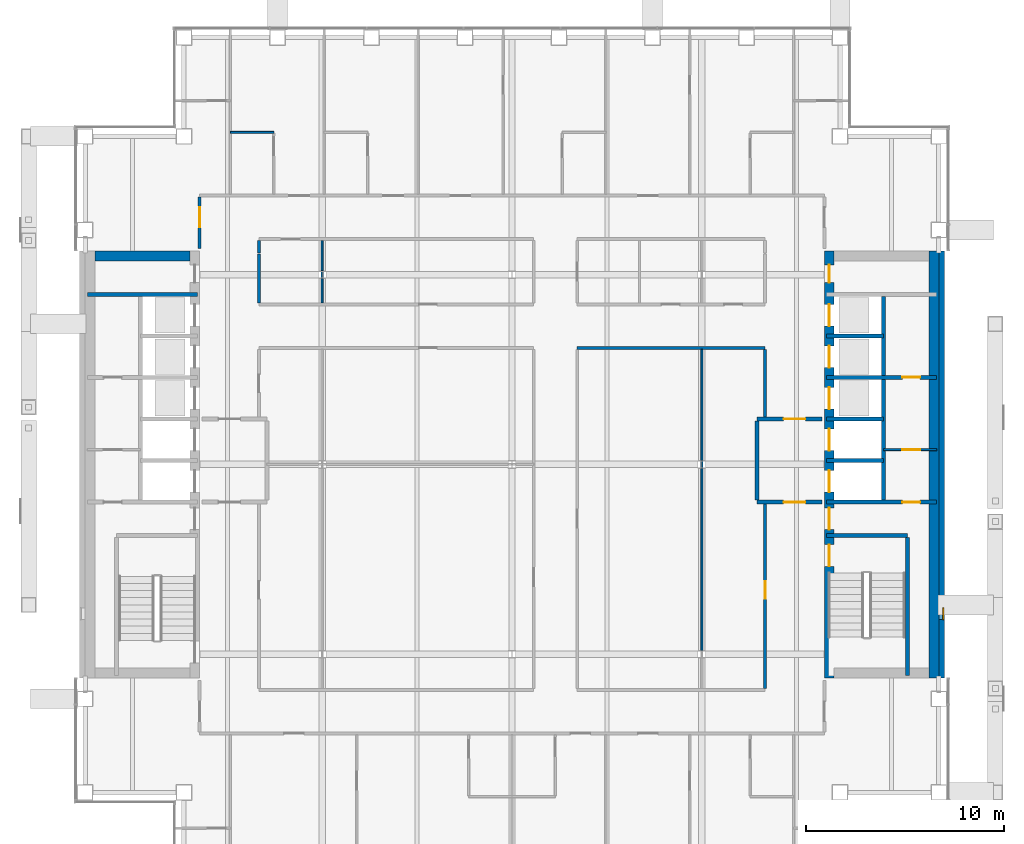
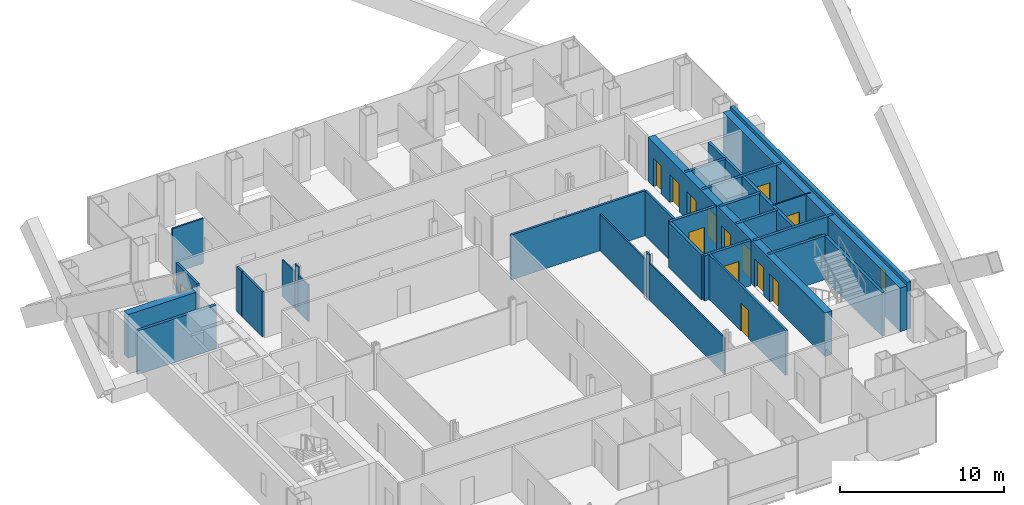
# One storey, part 14 of 18: 31 walls, 15 doors, 1 window, 16 openings.
"""IFC4 building model written with IfcOpenShell, lengths in metres."""

from ifc_helpers import new_model, si_unit, direction, frame, frame_2d, origin, place, context, subcontext, project, spatial, rectangle, extrude, material, layer, layer_set, type_object, element, fill, save


model = new_model("IFC4")

# Units and contexts
model_context = context("Model", 3, precision=1e-05, world=origin(), true_north=direction((0.0, 1.0)))
body_context = subcontext(model_context, "Body", "Model", "MODEL_VIEW")
ifc_project = project(units=[si_unit("LENGTHUNIT", "METRE"), si_unit("AREAUNIT", "SQUARE_METRE"), si_unit("VOLUMEUNIT", "CUBIC_METRE"), si_unit("PLANEANGLEUNIT", "RADIAN"), si_unit("MASSUNIT", "GRAM", prefix="KILO")], contexts=[model_context])

# Site, building, storey
site_placement = place(None, origin())
site = spatial("IfcSite", under=ifc_project, at=site_placement, CompositionType="ELEMENT")
building_placement = place(site_placement, origin())
building = spatial("IfcBuilding", under=site, at=building_placement, Name="Cobrizo Arcos Hotel Tower", CompositionType="ELEMENT")
storey_placement = place(building_placement, frame((0.0, 0.0, 165.5)))
storey = spatial("IfcBuildingStorey", under=building, at=storey_placement, Name="L42", CompositionType="ELEMENT", Elevation=165.5)

# Wall
ifc_material_1 = material(Name="Gypsum board partition")
ifc_layer_1 = layer(ifc_material_1, 0.14990234375)
ifc_layer_set_1 = layer_set([ifc_layer_1], Name="Corridor wall EI 60 150")
wall_type_1 = type_object("IfcWallType", Name="Corridor wall EI 60 150", PredefinedType="PARTITIONING", material=ifc_layer_set_1)
wall_1_placement = place(storey_placement, frame((3.300048828125, 5.89990234375, 0.0), z_axis=(0.0, 0.0, 1.0), x_axis=(1.0, 0.0, 0.0)))
element("IfcWall", 1, at=wall_1_placement, inside=storey, type_object=wall_type_1, Name="Partition 030", PredefinedType="PARTITIONING", context=body_context, shape_type="SweptSolid", body=[
    extrude(rectangle(XDim=9.5, YDim=0.14990234375, at=frame_2d((4.75, 0.0))), origin(), (0.0, 0.0, 1.0), 3.35009765625),
])

# Wall, opening, door
wall_2_placement = place(storey_placement, frame((-15.800048828125, 10.919921875, 0.0), z_axis=(0.0, 0.0, 1.0), x_axis=(0.0, 1.0, 0.0)))
wall_2 = element("IfcWall", 2, at=wall_2_placement, inside=storey, type_object=wall_type_1, Name="Partition 051", PredefinedType="PARTITIONING", context=body_context, shape_type="SweptSolid", body=[
    extrude(rectangle(XDim=2.60498046875, YDim=0.14990234375, at=frame_2d((1.302490234375, 0.0))), origin(), (0.0, 0.0, 1.0), 3.35009765625),
])
opening_1_placement = place(wall_2_placement, frame((1.080078125, 0.0, 0.0)))
opening_1 = element("IfcOpeningElement", 3, at=opening_1_placement, cuts=wall_2, Name="Opening GD-09", PredefinedType="OPENING", context=body_context, shape_type="SweptSolid", body=[
    extrude(rectangle(XDim=1.0, YDim=2.10009765625, at=frame_2d((0.5, 1.050048828125))), frame((0.0, 0.0869140625, 0.0), z_axis=(0.0, -1.0, 0.0), x_axis=(1.0, 0.0, 0.0)), (0.0, 0.0, 1.0), 0.173828125),
])
ifc_material_2 = material(Name="Timber door leaf", Category="wood")
door_type_1 = type_object("IfcDoorType", Name="Guest room door FD30S 1000x2100", OperationType="SINGLE_SWING_LEFT", PredefinedType="DOOR", material=ifc_material_2)
door_1_placement = place(opening_1_placement, origin())
door_1 = element("IfcDoor", 4, at=door_1_placement, inside=storey, type_object=door_type_1, Name="Door GD-09", OperationType="SINGLE_SWING_RIGHT", OverallHeight=2.10009765625, OverallWidth=1.0, PredefinedType="DOOR", context=body_context, shape_type="SweptSolid", body=[
    extrude(rectangle(XDim=1.0, YDim=2.10009765625, at=frame_2d((0.5, 1.050048828125))), frame((0.0, 0.02490234375, 0.0), z_axis=(0.0, -1.0, 0.0), x_axis=(1.0, 0.0, 0.0)), (0.0, 0.0, 1.0), 0.050048828125),
])
fill(opening_1, door_1)

# Walls
wall_3_placement = place(storey_placement, frame((-12.800048828125, 8.175048828125, 0.0), z_axis=(0.0, 0.0, 1.0), x_axis=(0.0, 1.0, 0.0)))
element("IfcWall", 5, at=wall_3_placement, inside=storey, type_object=wall_type_1, Name="Partition 056", PredefinedType="PARTITIONING", context=body_context, shape_type="SweptSolid", body=[
    extrude(rectangle(XDim=2.474853515625, YDim=0.14990234375, at=frame_2d((1.2373046875, 0.0))), origin(), (0.0, 0.0, 1.0), 3.35009765625),
])
wall_4_placement = place(storey_placement, frame((-12.800048828125, 10.699951171875, 0.0), z_axis=(0.0, 0.0, 1.0), x_axis=(0.0, 1.0, 0.0)))
element("IfcWall", 6, at=wall_4_placement, inside=storey, type_object=wall_type_1, Name="Partition 057", PredefinedType="PARTITIONING", context=body_context, shape_type="SweptSolid", body=[
    extrude(rectangle(XDim=0.625, YDim=0.14990234375, at=frame_2d((0.3125, 0.0))), origin(), (0.0, 0.0, 1.0), 3.35009765625),
])

# Wall, opening, door
wall_5_placement = place(storey_placement, frame((12.800048828125, -11.324951171875, 0.0), z_axis=(0.0, 0.0, 1.0), x_axis=(0.0, 1.0, 0.0)))
wall_5 = element("IfcWall", 7, at=wall_5_placement, inside=storey, type_object=wall_type_1, Name="Partition 097", PredefinedType="PARTITIONING", context=body_context, shape_type="SweptSolid", body=[
    extrude(rectangle(XDim=9.324951171875, YDim=0.14990234375, at=frame_2d((4.66259765625, 0.0))), origin(), (0.0, 0.0, 1.0), 3.35009765625),
])
opening_2_placement = place(wall_5_placement, frame((4.52490234375, 0.0, 0.0)))
opening_2 = element("IfcOpeningElement", 8, at=opening_2_placement, cuts=wall_5, Name="Opening RD-18", PredefinedType="OPENING", context=body_context, shape_type="SweptSolid", body=[
    extrude(rectangle(XDim=0.89990234375, YDim=2.10009765625, at=frame_2d((0.449951171875, 1.050048828125))), frame((0.0, 0.0869140625, 0.0), z_axis=(0.0, -1.0, 0.0), x_axis=(1.0, 0.0, 0.0)), (0.0, 0.0, 1.0), 0.173828125),
])
door_type_2 = type_object("IfcDoorType", Name="Room door FD30 900x2100", OperationType="SINGLE_SWING_LEFT", PredefinedType="DOOR", material=ifc_material_2)
door_2_placement = place(opening_2_placement, origin())
door_2 = element("IfcDoor", 9, at=door_2_placement, inside=storey, type_object=door_type_2, Name="Door RD-18", OperationType="SINGLE_SWING_LEFT", OverallHeight=2.10009765625, OverallWidth=0.89990234375, PredefinedType="DOOR", context=body_context, shape_type="SweptSolid", body=[
    extrude(rectangle(XDim=0.89990234375, YDim=2.10009765625, at=frame_2d((0.449951171875, 1.050048828125))), frame((0.0, 0.02490234375, 0.0), z_axis=(0.0, -1.0, 0.0), x_axis=(1.0, 0.0, 0.0)), (0.0, 0.0, 1.0), 0.050048828125),
])
fill(opening_2, door_2)

# Wall
wall_6_placement = place(storey_placement, frame((12.800048828125, 2.39990234375, 0.0), z_axis=(0.0, 0.0, 1.0), x_axis=(0.0, 1.0, 0.0)))
element("IfcWall", 10, at=wall_6_placement, inside=storey, type_object=wall_type_1, Name="Partition 098", PredefinedType="PARTITIONING", context=body_context, shape_type="SweptSolid", body=[
    extrude(rectangle(XDim=3.425048828125, YDim=0.14990234375, at=frame_2d((1.71240234375, 0.0))), origin(), (0.0, 0.0, 1.0), 3.35009765625),
])

# Wall, opening, window
ifc_material_3 = material(Name="Aluminium composite panel pale metal", Category="aluminium")
ifc_layer_2 = layer(ifc_material_3, 0.27490234375)
ifc_layer_set_2 = layer_set([ifc_layer_2], Name="EW-1 insulated panel wall 275")
wall_type_2 = type_object("IfcWallType", Name="EW-1 insulated panel wall 275", PredefinedType="SOLIDWALL", material=ifc_layer_set_2)
wall_7_placement = place(storey_placement, frame((21.737548828125, -10.800048828125, 0.0), z_axis=(0.0, 0.0, 1.0), x_axis=(0.0, 1.0, 0.0)))
wall_7 = element("IfcWall", 11, at=wall_7_placement, inside=storey, type_object=wall_type_2, Name="Core face wall L42 E", PredefinedType="SOLIDWALL", context=body_context, shape_type="SweptSolid", body=[
    extrude(rectangle(XDim=21.60009765625, YDim=0.27490234375, at=frame_2d((10.800048828125, 0.0))), origin(), (0.0, 0.0, 1.0), 3.5),
])
opening_3_placement = place(wall_7_placement, frame((2.949951171875, 0.0, 1.0)))
opening_3 = element("IfcOpeningElement", 12, at=opening_3_placement, cuts=wall_7, Name="Opening W-91", PredefinedType="OPENING", context=body_context, shape_type="SweptSolid", body=[
    extrude(rectangle(XDim=0.60009765625, YDim=1.5, at=frame_2d((0.300048828125, 0.75))), frame((0.0, 0.1494140625, 0.0), z_axis=(0.0, -1.0, 0.0), x_axis=(1.0, 0.0, 0.0)), (0.0, 0.0, 1.0), 0.298828125),
])
ifc_material_4 = material(Name="Aluminium 6063-T6 and clear laminated glass", Category="aluminium")
window_type = type_object("IfcWindowType", Name="W-C1 core stair slot window 600x1500", PartitioningType="SINGLE_PANEL", PredefinedType="WINDOW", material=ifc_material_4)
window_placement = place(opening_3_placement, origin())
window = element("IfcWindow", 13, at=window_placement, inside=storey, type_object=window_type, Name="Core face wall L42 E window W-91", OverallHeight=1.5, OverallWidth=0.60009765625, PartitioningType="SINGLE_PANEL", PredefinedType="WINDOW", context=body_context, shape_type="SweptSolid", body=[
    extrude(rectangle(XDim=0.60009765625, YDim=1.5, at=frame_2d((0.300048828125, 0.75))), frame((0.0, -0.04736328125, 0.0), z_axis=(0.0, -1.0, 0.0), x_axis=(1.0, 0.0, 0.0)), (0.0, 0.0, 1.0), 0.06005859375),
])
fill(opening_3, window)

# Wall, opening, door
ifc_layer_3 = layer(ifc_material_1, 0.10009765625)
ifc_layer_set_3 = layer_set([ifc_layer_3], Name="Partition EI 30 100")
wall_type_3 = type_object("IfcWallType", Name="Partition EI 30 100", PredefinedType="PARTITIONING", material=ifc_layer_set_3)
wall_8_placement = place(storey_placement, frame((18.800048828125, 0.75, 0.0), z_axis=(0.0, 0.0, 1.0), x_axis=(1.0, 0.0, 0.0)))
wall_8 = element("IfcWall", 14, at=wall_8_placement, inside=storey, type_object=wall_type_3, Name="Partition 022", PredefinedType="PARTITIONING", context=body_context, shape_type="SweptSolid", body=[
    extrude(rectangle(XDim=2.679931640625, YDim=0.10009765625, at=frame_2d((1.33984375, 0.0))), origin(), (0.0, 0.0, 1.0), 3.25),
])
opening_4_placement = place(wall_8_placement, frame((0.949951171875, 0.0, 0.0)))
opening_4 = element("IfcOpeningElement", 15, at=opening_4_placement, cuts=wall_8, Name="Opening RD-07", PredefinedType="OPENING", context=body_context, shape_type="SweptSolid", body=[
    extrude(rectangle(XDim=0.89990234375, YDim=2.10009765625, at=frame_2d((0.449951171875, 1.050048828125))), frame((0.0, 0.06201171875, 0.0), z_axis=(0.0, -1.0, 0.0), x_axis=(1.0, 0.0, 0.0)), (0.0, 0.0, 1.0), 0.1240234375),
])
door_3_placement = place(opening_4_placement, origin())
door_3 = element("IfcDoor", 16, at=door_3_placement, inside=storey, type_object=door_type_2, Name="Door RD-07", OperationType="SINGLE_SWING_LEFT", OverallHeight=2.10009765625, OverallWidth=0.89990234375, PredefinedType="DOOR", context=body_context, shape_type="SweptSolid", body=[
    extrude(rectangle(XDim=0.89990234375, YDim=2.10009765625, at=frame_2d((0.449951171875, 1.050048828125))), frame((0.0, 0.02490234375, 0.0), z_axis=(0.0, -1.0, 0.0), x_axis=(1.0, 0.0, 0.0)), (0.0, 0.0, 1.0), 0.050048828125),
])
fill(opening_4, door_3)

# Walls
wall_9_placement = place(storey_placement, frame((-14.25, 16.800048828125, 0.0), z_axis=(0.0, 0.0, 1.0), x_axis=(1.0, 0.0, 0.0)))
element("IfcWall", 17, at=wall_9_placement, inside=storey, type_object=wall_type_3, Name="Partition 040", PredefinedType="PARTITIONING", context=body_context, shape_type="SweptSolid", body=[
    extrude(rectangle(XDim=2.199951171875, YDim=0.10009765625, at=frame_2d((1.10009765625, 0.0))), origin(), (0.0, 0.0, 1.0), 3.35009765625),
])
wall_10_placement = place(storey_placement, frame((-9.60009765625, 8.175048828125, 0.0), z_axis=(0.0, 0.0, 1.0), x_axis=(0.0, 1.0, 0.0)))
element("IfcWall", 18, at=wall_10_placement, inside=storey, type_object=wall_type_3, Name="Partition 064", PredefinedType="PARTITIONING", context=body_context, shape_type="SweptSolid", body=[
    extrude(rectangle(XDim=1.238037109375, YDim=0.10009765625, at=frame_2d((0.619140625, 0.0))), origin(), (0.0, 0.0, 1.0), 2.72802734375),
])
wall_11_placement = place(storey_placement, frame((-9.60009765625, 9.4130859375, 0.0), z_axis=(0.0, 0.0, 1.0), x_axis=(0.0, 1.0, 0.0)))
element("IfcWall", 19, at=wall_11_placement, inside=storey, type_object=wall_type_3, Name="Partition 065", PredefinedType="PARTITIONING", context=body_context, shape_type="SweptSolid", body=[
    extrude(rectangle(XDim=0.3740234375, YDim=0.10009765625, at=frame_2d((0.18701171875, 0.0))), origin(), (0.0, 0.0, 1.0), 3.35009765625),
])
wall_12_placement = place(storey_placement, frame((-9.60009765625, 9.787109375, 0.0), z_axis=(0.0, 0.0, 1.0), x_axis=(0.0, 1.0, 0.0)))
element("IfcWall", 20, at=wall_12_placement, inside=storey, type_object=wall_type_3, Name="Partition 066", PredefinedType="PARTITIONING", context=body_context, shape_type="SweptSolid", body=[
    extrude(rectangle(XDim=1.537841796875, YDim=0.10009765625, at=frame_2d((0.76904296875, 0.0))), origin(), (0.0, 0.0, 1.0), 2.72802734375),
])
wall_13_placement = place(storey_placement, frame((9.60009765625, -9.4130859375, 0.0), z_axis=(0.0, 0.0, 1.0), x_axis=(0.0, 1.0, 0.0)))
element("IfcWall", 21, at=wall_13_placement, inside=storey, type_object=wall_type_3, Name="Partition 088", PredefinedType="PARTITIONING", context=body_context, shape_type="SweptSolid", body=[
    extrude(rectangle(XDim=9.22607421875, YDim=0.10009765625, at=frame_2d((4.613037109375, 0.0))), origin(), (0.0, 0.0, 1.0), 2.72802734375),
])
wall_14_placement = place(storey_placement, frame((9.60009765625, -0.18701171875, 0.0), z_axis=(0.0, 0.0, 1.0), x_axis=(0.0, 1.0, 0.0)))
element("IfcWall", 22, at=wall_14_placement, inside=storey, type_object=wall_type_3, Name="Partition 089", PredefinedType="PARTITIONING", context=body_context, shape_type="SweptSolid", body=[
    extrude(rectangle(XDim=0.3740234375, YDim=0.10009765625, at=frame_2d((0.18701171875, 0.0))), origin(), (0.0, 0.0, 1.0), 3.35009765625),
])
wall_15_placement = place(storey_placement, frame((9.60009765625, 0.18701171875, 0.0), z_axis=(0.0, 0.0, 1.0), x_axis=(0.0, 1.0, 0.0)))
element("IfcWall", 23, at=wall_15_placement, inside=storey, type_object=wall_type_3, Name="Partition 090", PredefinedType="PARTITIONING", context=body_context, shape_type="SweptSolid", body=[
    extrude(rectangle(XDim=5.637939453125, YDim=0.10009765625, at=frame_2d((2.81884765625, 0.0))), origin(), (0.0, 0.0, 1.0), 2.72802734375),
])

# Wall, openings, doors
ifc_material_5 = material(Name="Concrete f'c 50 MPa", Category="concrete")
ifc_layer_4 = layer(ifc_material_5, 0.5)
ifc_layer_set_4 = layer_set([ifc_layer_4], Name="RC core wall 500 f'c 50")
wall_type_4 = type_object("IfcWallType", Name="RC core wall 500 f'c 50", PredefinedType="SHEAR", material=ifc_layer_set_4)
wall_16_placement = place(storey_placement, frame((16.050048828125, -10.800048828125, 0.0), z_axis=(0.0, 0.0, 1.0), x_axis=(0.0, 1.0, 0.0)))
wall_16 = element("IfcWall", 24, at=wall_16_placement, inside=storey, type_object=wall_type_4, Name="Core wall CW3, east core, inner face, L42", PredefinedType="SHEAR", context=body_context, shape_type="SweptSolid", body=[
    extrude(rectangle(XDim=21.60009765625, YDim=0.5, at=frame_2d((10.800048828125, 0.0))), origin(), (0.0, 0.0, 1.0), 3.25),
])
opening_5_placement = place(wall_16_placement, frame((9.39990234375, 0.0, 0.0)))
opening_5 = element("IfcOpeningElement", 25, at=opening_5_placement, cuts=wall_16, Name="Opening LD-06", PredefinedType="OPENING", context=body_context, shape_type="SweptSolid", body=[
    extrude(rectangle(XDim=1.10009765625, YDim=2.10009765625, at=frame_2d((0.550048828125, 1.050048828125))), frame((0.0, 0.261962890625, 0.0), z_axis=(0.0, -1.0, 0.0), x_axis=(1.0, 0.0, 0.0)), (0.0, 0.0, 1.0), 0.52392578125),
])
opening_6_placement = place(wall_16_placement, frame((11.5, 0.0, 0.0)))
opening_6 = element("IfcOpeningElement", 26, at=opening_6_placement, cuts=wall_16, Name="Opening LD-07", PredefinedType="OPENING", context=body_context, shape_type="SweptSolid", body=[
    extrude(rectangle(XDim=1.10009765625, YDim=2.10009765625, at=frame_2d((0.550048828125, 1.050048828125))), frame((0.0, 0.261962890625, 0.0), z_axis=(0.0, -1.0, 0.0), x_axis=(1.0, 0.0, 0.0)), (0.0, 0.0, 1.0), 0.52392578125),
])
opening_7_placement = place(wall_16_placement, frame((13.60009765625, 0.0, 0.0)))
opening_7 = element("IfcOpeningElement", 27, at=opening_7_placement, cuts=wall_16, Name="Opening LD-08", PredefinedType="OPENING", context=body_context, shape_type="SweptSolid", body=[
    extrude(rectangle(XDim=1.10009765625, YDim=2.10009765625, at=frame_2d((0.550048828125, 1.050048828125))), frame((0.0, 0.261962890625, 0.0), z_axis=(0.0, -1.0, 0.0), x_axis=(1.0, 0.0, 0.0)), (0.0, 0.0, 1.0), 0.52392578125),
])
opening_8_placement = place(wall_16_placement, frame((15.699951171875, 0.0, 0.0)))
opening_8 = element("IfcOpeningElement", 28, at=opening_8_placement, cuts=wall_16, Name="Opening LD-09", PredefinedType="OPENING", context=body_context, shape_type="SweptSolid", body=[
    extrude(rectangle(XDim=1.10009765625, YDim=2.10009765625, at=frame_2d((0.550048828125, 1.050048828125))), frame((0.0, 0.261962890625, 0.0), z_axis=(0.0, -1.0, 0.0), x_axis=(1.0, 0.0, 0.0)), (0.0, 0.0, 1.0), 0.52392578125),
])
opening_9_placement = place(wall_16_placement, frame((17.800048828125, 0.0, 0.0)))
opening_9 = element("IfcOpeningElement", 29, at=opening_9_placement, cuts=wall_16, Name="Opening LD-10", PredefinedType="OPENING", context=body_context, shape_type="SweptSolid", body=[
    extrude(rectangle(XDim=1.10009765625, YDim=2.10009765625, at=frame_2d((0.550048828125, 1.050048828125))), frame((0.0, 0.261962890625, 0.0), z_axis=(0.0, -1.0, 0.0), x_axis=(1.0, 0.0, 0.0)), (0.0, 0.0, 1.0), 0.52392578125),
])
opening_10_placement = place(wall_16_placement, frame((5.64208984375, 0.0, 0.0)))
opening_10 = element("IfcOpeningElement", 30, at=opening_10_placement, cuts=wall_16, Name="Opening SD-02", PredefinedType="OPENING", context=body_context, shape_type="SweptSolid", body=[
    extrude(rectangle(XDim=1.10009765625, YDim=2.10009765625, at=frame_2d((0.550048828125, 1.050048828125))), frame((0.0, 0.261962890625, 0.0), z_axis=(0.0, -1.0, 0.0), x_axis=(1.0, 0.0, 0.0)), (0.0, 0.0, 1.0), 0.52392578125),
])
opening_11_placement = place(wall_16_placement, frame((7.5, 0.0, 0.0)))
opening_11 = element("IfcOpeningElement", 31, at=opening_11_placement, cuts=wall_16, Name="Opening FD-04", PredefinedType="OPENING", context=body_context, shape_type="SweptSolid", body=[
    extrude(rectangle(XDim=1.10009765625, YDim=2.10009765625, at=frame_2d((0.550048828125, 1.050048828125))), frame((0.0, 0.261962890625, 0.0), z_axis=(0.0, -1.0, 0.0), x_axis=(1.0, 0.0, 0.0)), (0.0, 0.0, 1.0), 0.52392578125),
])
opening_12_placement = place(wall_16_placement, frame((20.0, 0.0, 0.0)))
opening_12 = element("IfcOpeningElement", 32, at=opening_12_placement, cuts=wall_16, Name="Opening RD-05", PredefinedType="OPENING", context=body_context, shape_type="SweptSolid", body=[
    extrude(rectangle(XDim=0.89990234375, YDim=2.10009765625, at=frame_2d((0.449951171875, 1.050048828125))), frame((0.0, 0.261962890625, 0.0), z_axis=(0.0, -1.0, 0.0), x_axis=(1.0, 0.0, 0.0)), (0.0, 0.0, 1.0), 0.52392578125),
])
ifc_material_6 = material(Name="Steel door leaf", Category="steel")
door_type_3 = type_object("IfcDoorType", Name="Fire door FD60 1100x2100", OperationType="SINGLE_SWING_LEFT", PredefinedType="DOOR", material=ifc_material_6)
door_4_placement = place(opening_11_placement, origin())
door_4 = element("IfcDoor", 33, at=door_4_placement, inside=storey, type_object=door_type_3, Name="Door FD-04", OperationType="SINGLE_SWING_RIGHT", OverallHeight=2.10009765625, OverallWidth=1.10009765625, PredefinedType="DOOR", context=body_context, shape_type="SweptSolid", body=[
    extrude(rectangle(XDim=1.10009765625, YDim=2.10009765625, at=frame_2d((0.550048828125, 1.050048828125))), frame((0.0, 0.02490234375, 0.0), z_axis=(0.0, -1.0, 0.0), x_axis=(1.0, 0.0, 0.0)), (0.0, 0.0, 1.0), 0.050048828125),
])
fill(opening_11, door_4)
door_type_4 = type_object("IfcDoorType", Name="Lift landing door 1100x2100", OperationType="SLIDING_TO_LEFT", PredefinedType="DOOR", material=ifc_material_6)
door_5_placement = place(opening_5_placement, origin())
door_5 = element("IfcDoor", 34, at=door_5_placement, inside=storey, type_object=door_type_4, Name="Lift landing door LD-06", OperationType="SLIDING_TO_LEFT", OverallHeight=2.10009765625, OverallWidth=1.10009765625, PredefinedType="DOOR", context=body_context, shape_type="SweptSolid", body=[
    extrude(rectangle(XDim=1.10009765625, YDim=2.10009765625, at=frame_2d((0.550048828125, 1.050048828125))), frame((0.0, 0.02490234375, 0.0), z_axis=(0.0, -1.0, 0.0), x_axis=(1.0, 0.0, 0.0)), (0.0, 0.0, 1.0), 0.050048828125),
])
fill(opening_5, door_5)
door_6_placement = place(opening_6_placement, origin())
door_6 = element("IfcDoor", 35, at=door_6_placement, inside=storey, type_object=door_type_4, Name="Lift landing door LD-07", OperationType="SLIDING_TO_LEFT", OverallHeight=2.10009765625, OverallWidth=1.10009765625, PredefinedType="DOOR", context=body_context, shape_type="SweptSolid", body=[
    extrude(rectangle(XDim=1.10009765625, YDim=2.10009765625, at=frame_2d((0.550048828125, 1.050048828125))), frame((0.0, 0.02490234375, 0.0), z_axis=(0.0, -1.0, 0.0), x_axis=(1.0, 0.0, 0.0)), (0.0, 0.0, 1.0), 0.050048828125),
])
fill(opening_6, door_6)
door_7_placement = place(opening_7_placement, origin())
door_7 = element("IfcDoor", 36, at=door_7_placement, inside=storey, type_object=door_type_4, Name="Lift landing door LD-08", OperationType="SLIDING_TO_LEFT", OverallHeight=2.10009765625, OverallWidth=1.10009765625, PredefinedType="DOOR", context=body_context, shape_type="SweptSolid", body=[
    extrude(rectangle(XDim=1.10009765625, YDim=2.10009765625, at=frame_2d((0.550048828125, 1.050048828125))), frame((0.0, 0.02490234375, 0.0), z_axis=(0.0, -1.0, 0.0), x_axis=(1.0, 0.0, 0.0)), (0.0, 0.0, 1.0), 0.050048828125),
])
fill(opening_7, door_7)
door_8_placement = place(opening_8_placement, origin())
door_8 = element("IfcDoor", 37, at=door_8_placement, inside=storey, type_object=door_type_4, Name="Lift landing door LD-09", OperationType="SLIDING_TO_LEFT", OverallHeight=2.10009765625, OverallWidth=1.10009765625, PredefinedType="DOOR", context=body_context, shape_type="SweptSolid", body=[
    extrude(rectangle(XDim=1.10009765625, YDim=2.10009765625, at=frame_2d((0.550048828125, 1.050048828125))), frame((0.0, 0.02490234375, 0.0), z_axis=(0.0, -1.0, 0.0), x_axis=(1.0, 0.0, 0.0)), (0.0, 0.0, 1.0), 0.050048828125),
])
fill(opening_8, door_8)
door_9_placement = place(opening_9_placement, origin())
door_9 = element("IfcDoor", 38, at=door_9_placement, inside=storey, type_object=door_type_4, Name="Lift landing door LD-10", OperationType="SLIDING_TO_LEFT", OverallHeight=2.10009765625, OverallWidth=1.10009765625, PredefinedType="DOOR", context=body_context, shape_type="SweptSolid", body=[
    extrude(rectangle(XDim=1.10009765625, YDim=2.10009765625, at=frame_2d((0.550048828125, 1.050048828125))), frame((0.0, 0.02490234375, 0.0), z_axis=(0.0, -1.0, 0.0), x_axis=(1.0, 0.0, 0.0)), (0.0, 0.0, 1.0), 0.050048828125),
])
fill(opening_9, door_9)
door_10_placement = place(opening_12_placement, origin())
door_10 = element("IfcDoor", 39, at=door_10_placement, inside=storey, type_object=door_type_2, Name="Door RD-05", OperationType="SINGLE_SWING_RIGHT", OverallHeight=2.10009765625, OverallWidth=0.89990234375, PredefinedType="DOOR", context=body_context, shape_type="SweptSolid", body=[
    extrude(rectangle(XDim=0.89990234375, YDim=2.10009765625, at=frame_2d((0.449951171875, 1.050048828125))), frame((0.0, 0.02490234375, 0.0), z_axis=(0.0, -1.0, 0.0), x_axis=(1.0, 0.0, 0.0)), (0.0, 0.0, 1.0), 0.050048828125),
])
fill(opening_12, door_10)
door_type_5 = type_object("IfcDoorType", Name="Stair door FD60S 1100x2100", OperationType="SINGLE_SWING_LEFT", PredefinedType="DOOR", material=ifc_material_6)
door_11_placement = place(opening_10_placement, origin())
door_11 = element("IfcDoor", 40, at=door_11_placement, inside=storey, type_object=door_type_5, Name="Door SD-02", OperationType="SINGLE_SWING_RIGHT", OverallHeight=2.10009765625, OverallWidth=1.10009765625, PredefinedType="DOOR", context=body_context, shape_type="SweptSolid", body=[
    extrude(rectangle(XDim=1.10009765625, YDim=2.10009765625, at=frame_2d((0.550048828125, 1.050048828125))), frame((0.0, 0.02490234375, 0.0), z_axis=(0.0, -1.0, 0.0), x_axis=(1.0, 0.0, 0.0)), (0.0, 0.0, 1.0), 0.050048828125),
])
fill(opening_10, door_11)

# Walls
wall_17_placement = place(storey_placement, frame((21.35009765625, -10.800048828125, 0.0), z_axis=(0.0, 0.0, 1.0), x_axis=(0.0, 1.0, 0.0)))
element("IfcWall", 41, at=wall_17_placement, inside=storey, type_object=wall_type_4, Name="Core wall CW3, east core, outer face, L42", PredefinedType="SHEAR", context=body_context, shape_type="SweptSolid", body=[
    extrude(rectangle(XDim=21.60009765625, YDim=0.5, at=frame_2d((10.800048828125, 0.0))), origin(), (0.0, 0.0, 1.0), 3.25),
])
wall_18_placement = place(storey_placement, frame((-21.10009765625, 10.550048828125, 0.0), z_axis=(0.0, 0.0, 1.0), x_axis=(1.0, 0.0, 0.0)))
element("IfcWall", 42, at=wall_18_placement, inside=storey, type_object=wall_type_4, Name="Core wall CW3, west core, north end, L42", PredefinedType="SHEAR", context=body_context, shape_type="SweptSolid", body=[
    extrude(rectangle(XDim=4.800048828125, YDim=0.5, at=frame_2d((2.39990234375, 0.0))), origin(), (0.0, 0.0, 1.0), 3.25),
])

# Wall, opening, door
ifc_layer_5 = layer(ifc_material_1, 0.199951171875)
ifc_layer_set_5 = layer_set([ifc_layer_5], Name="Shaft wall EI 120 200")
wall_type_5 = type_object("IfcWallType", Name="Shaft wall EI 120 200", PredefinedType="PARTITIONING", material=ifc_layer_set_5)
wall_19_placement = place(storey_placement, frame((12.39990234375, -1.89990234375, 0.0), z_axis=(0.0, 0.0, 1.0), x_axis=(1.0, 0.0, 0.0)))
wall_19 = element("IfcWall", 43, at=wall_19_placement, inside=storey, type_object=wall_type_5, Name="Partition 012", PredefinedType="PARTITIONING", context=body_context, shape_type="SweptSolid", body=[
    extrude(rectangle(XDim=3.280029296875, YDim=0.199951171875, at=frame_2d((1.64013671875, 0.0))), origin(), (0.0, 0.0, 1.0), 3.35009765625),
])
opening_13_placement = place(wall_19_placement, frame((1.340087890625, 0.0, 0.0)))
opening_13 = element("IfcOpeningElement", 44, at=opening_13_placement, cuts=wall_19, Name="Opening FD-06", PredefinedType="OPENING", context=body_context, shape_type="SweptSolid", body=[
    extrude(rectangle(XDim=1.10009765625, YDim=2.10009765625, at=frame_2d((0.550048828125, 1.050048828125))), frame((0.0, 0.112060546875, 0.0), z_axis=(0.0, -1.0, 0.0), x_axis=(1.0, 0.0, 0.0)), (0.0, 0.0, 1.0), 0.223876953125),
])
door_12_placement = place(opening_13_placement, origin())
door_12 = element("IfcDoor", 45, at=door_12_placement, inside=storey, type_object=door_type_3, Name="Door FD-06", OperationType="SINGLE_SWING_LEFT", OverallHeight=2.10009765625, OverallWidth=1.10009765625, PredefinedType="DOOR", context=body_context, shape_type="SweptSolid", body=[
    extrude(rectangle(XDim=1.10009765625, YDim=2.10009765625, at=frame_2d((0.550048828125, 1.050048828125))), frame((0.0, 0.02490234375, 0.0), z_axis=(0.0, -1.0, 0.0), x_axis=(1.0, 0.0, 0.0)), (0.0, 0.0, 1.0), 0.050048828125),
])
fill(opening_13, door_12)

wall_20_placement = place(storey_placement, frame((15.919921875, -1.89990234375, 0.0), z_axis=(0.0, 0.0, 1.0), x_axis=(1.0, 0.0, 0.0)))
wall_20 = element("IfcWall", 46, at=wall_20_placement, inside=storey, type_object=wall_type_5, Name="Partition 013", PredefinedType="PARTITIONING", context=body_context, shape_type="SweptSolid", body=[
    extrude(rectangle(XDim=5.56005859375, YDim=0.199951171875, at=frame_2d((2.780029296875, 0.0))), origin(), (0.0, 0.0, 1.0), 3.25),
])
opening_14_placement = place(wall_20_placement, frame((3.830078125, 0.0, 0.0)))
opening_14 = element("IfcOpeningElement", 47, at=opening_14_placement, cuts=wall_20, Name="Opening RD-06", PredefinedType="OPENING", context=body_context, shape_type="SweptSolid", body=[
    extrude(rectangle(XDim=0.89990234375, YDim=2.10009765625, at=frame_2d((0.449951171875, 1.050048828125))), frame((0.0, 0.112060546875, 0.0), z_axis=(0.0, -1.0, 0.0), x_axis=(1.0, 0.0, 0.0)), (0.0, 0.0, 1.0), 0.223876953125),
])
door_13_placement = place(opening_14_placement, origin())
door_13 = element("IfcDoor", 48, at=door_13_placement, inside=storey, type_object=door_type_2, Name="Door RD-06", OperationType="SINGLE_SWING_RIGHT", OverallHeight=2.10009765625, OverallWidth=0.89990234375, PredefinedType="DOOR", context=body_context, shape_type="SweptSolid", body=[
    extrude(rectangle(XDim=0.89990234375, YDim=2.10009765625, at=frame_2d((0.449951171875, 1.050048828125))), frame((0.0, 0.02490234375, 0.0), z_axis=(0.0, -1.0, 0.0), x_axis=(1.0, 0.0, 0.0)), (0.0, 0.0, 1.0), 0.050048828125),
])
fill(opening_14, door_13)

# Wall
wall_21_placement = place(storey_placement, frame((15.919921875, 0.199951171875, 0.0), z_axis=(0.0, 0.0, 1.0), x_axis=(1.0, 0.0, 0.0)))
element("IfcWall", 49, at=wall_21_placement, inside=storey, type_object=wall_type_5, Name="Partition 020", PredefinedType="PARTITIONING", context=body_context, shape_type="SweptSolid", body=[
    extrude(rectangle(XDim=2.880126953125, YDim=0.199951171875, at=frame_2d((1.43994140625, 0.0))), origin(), (0.0, 0.0, 1.0), 3.25),
])

# Wall, opening, door
wall_22_placement = place(storey_placement, frame((12.39990234375, 2.300048828125, 0.0), z_axis=(0.0, 0.0, 1.0), x_axis=(1.0, 0.0, 0.0)))
wall_22 = element("IfcWall", 50, at=wall_22_placement, inside=storey, type_object=wall_type_5, Name="Partition 025", PredefinedType="PARTITIONING", context=body_context, shape_type="SweptSolid", body=[
    extrude(rectangle(XDim=3.280029296875, YDim=0.199951171875, at=frame_2d((1.64013671875, 0.0))), origin(), (0.0, 0.0, 1.0), 3.35009765625),
])
opening_15_placement = place(wall_22_placement, frame((1.340087890625, 0.0, 0.0)))
opening_15 = element("IfcOpeningElement", 51, at=opening_15_placement, cuts=wall_22, Name="Opening FD-05", PredefinedType="OPENING", context=body_context, shape_type="SweptSolid", body=[
    extrude(rectangle(XDim=1.10009765625, YDim=2.10009765625, at=frame_2d((0.550048828125, 1.050048828125))), frame((0.0, 0.112060546875, 0.0), z_axis=(0.0, -1.0, 0.0), x_axis=(1.0, 0.0, 0.0)), (0.0, 0.0, 1.0), 0.223876953125),
])
door_14_placement = place(opening_15_placement, origin())
door_14 = element("IfcDoor", 52, at=door_14_placement, inside=storey, type_object=door_type_3, Name="Door FD-05", OperationType="SINGLE_SWING_RIGHT", OverallHeight=2.10009765625, OverallWidth=1.10009765625, PredefinedType="DOOR", context=body_context, shape_type="SweptSolid", body=[
    extrude(rectangle(XDim=1.10009765625, YDim=2.10009765625, at=frame_2d((0.550048828125, 1.050048828125))), frame((0.0, 0.02490234375, 0.0), z_axis=(0.0, -1.0, 0.0), x_axis=(1.0, 0.0, 0.0)), (0.0, 0.0, 1.0), 0.050048828125),
])
fill(opening_15, door_14)

# Wall
wall_23_placement = place(storey_placement, frame((15.919921875, 2.300048828125, 0.0), z_axis=(0.0, 0.0, 1.0), x_axis=(1.0, 0.0, 0.0)))
element("IfcWall", 53, at=wall_23_placement, inside=storey, type_object=wall_type_5, Name="Partition 026", PredefinedType="PARTITIONING", context=body_context, shape_type="SweptSolid", body=[
    extrude(rectangle(XDim=2.880126953125, YDim=0.199951171875, at=frame_2d((1.43994140625, 0.0))), origin(), (0.0, 0.0, 1.0), 3.25),
])

# Wall, opening, door
wall_24_placement = place(storey_placement, frame((15.919921875, 4.39990234375, 0.0), z_axis=(0.0, 0.0, 1.0), x_axis=(1.0, 0.0, 0.0)))
wall_24 = element("IfcWall", 54, at=wall_24_placement, inside=storey, type_object=wall_type_5, Name="Partition 028", PredefinedType="PARTITIONING", context=body_context, shape_type="SweptSolid", body=[
    extrude(rectangle(XDim=5.56005859375, YDim=0.199951171875, at=frame_2d((2.780029296875, 0.0))), origin(), (0.0, 0.0, 1.0), 3.25),
])
opening_16_placement = place(wall_24_placement, frame((3.830078125, 0.0, 0.0)))
opening_16 = element("IfcOpeningElement", 55, at=opening_16_placement, cuts=wall_24, Name="Opening RD-08", PredefinedType="OPENING", context=body_context, shape_type="SweptSolid", body=[
    extrude(rectangle(XDim=0.89990234375, YDim=2.10009765625, at=frame_2d((0.449951171875, 1.050048828125))), frame((0.0, 0.112060546875, 0.0), z_axis=(0.0, -1.0, 0.0), x_axis=(1.0, 0.0, 0.0)), (0.0, 0.0, 1.0), 0.223876953125),
])
door_15_placement = place(opening_16_placement, origin())
door_15 = element("IfcDoor", 56, at=door_15_placement, inside=storey, type_object=door_type_2, Name="Door RD-08", OperationType="SINGLE_SWING_LEFT", OverallHeight=2.10009765625, OverallWidth=0.89990234375, PredefinedType="DOOR", context=body_context, shape_type="SweptSolid", body=[
    extrude(rectangle(XDim=0.89990234375, YDim=2.10009765625, at=frame_2d((0.449951171875, 1.050048828125))), frame((0.0, 0.02490234375, 0.0), z_axis=(0.0, -1.0, 0.0), x_axis=(1.0, 0.0, 0.0)), (0.0, 0.0, 1.0), 0.050048828125),
])
fill(opening_16, door_15)

# Walls
wall_25_placement = place(storey_placement, frame((15.919921875, 6.5, 0.0), z_axis=(0.0, 0.0, 1.0), x_axis=(1.0, 0.0, 0.0)))
element("IfcWall", 57, at=wall_25_placement, inside=storey, type_object=wall_type_5, Name="Partition 032", PredefinedType="PARTITIONING", context=body_context, shape_type="SweptSolid", body=[
    extrude(rectangle(XDim=2.880126953125, YDim=0.199951171875, at=frame_2d((1.43994140625, 0.0))), origin(), (0.0, 0.0, 1.0), 3.25),
])
wall_26_placement = place(storey_placement, frame((-21.47998046875, 8.60009765625, 0.0), z_axis=(0.0, 0.0, 1.0), x_axis=(1.0, 0.0, 0.0)))
element("IfcWall", 58, at=wall_26_placement, inside=storey, type_object=wall_type_5, Name="Partition 035", PredefinedType="PARTITIONING", context=body_context, shape_type="SweptSolid", body=[
    extrude(rectangle(XDim=5.56005859375, YDim=0.199951171875, at=frame_2d((2.780029296875, 0.0))), origin(), (0.0, 0.0, 1.0), 3.25),
])
wall_27_placement = place(storey_placement, frame((12.39990234375, -1.800048828125, 0.0), z_axis=(0.0, 0.0, 1.0), x_axis=(0.0, 1.0, 0.0)))
element("IfcWall", 59, at=wall_27_placement, inside=storey, type_object=wall_type_5, Name="Partition 096", PredefinedType="PARTITIONING", context=body_context, shape_type="SweptSolid", body=[
    extrude(rectangle(XDim=4.0, YDim=0.199951171875, at=frame_2d((2.0, 0.0))), origin(), (0.0, 0.0, 1.0), 3.35009765625),
])
wall_28_placement = place(storey_placement, frame((18.800048828125, -1.800048828125, 0.0), z_axis=(0.0, 0.0, 1.0), x_axis=(0.0, 1.0, 0.0)))
element("IfcWall", 60, at=wall_28_placement, inside=storey, type_object=wall_type_5, Name="Partition 105", PredefinedType="PARTITIONING", context=body_context, shape_type="SweptSolid", body=[
    extrude(rectangle(XDim=6.10009765625, YDim=0.199951171875, at=frame_2d((3.050048828125, 0.0))), origin(), (0.0, 0.0, 1.0), 3.25),
])
wall_29_placement = place(storey_placement, frame((18.800048828125, 4.5, 0.0), z_axis=(0.0, 0.0, 1.0), x_axis=(0.0, 1.0, 0.0)))
element("IfcWall", 61, at=wall_29_placement, inside=storey, type_object=wall_type_5, Name="Partition 106", PredefinedType="PARTITIONING", context=body_context, shape_type="SweptSolid", body=[
    extrude(rectangle(XDim=4.0, YDim=0.199951171875, at=frame_2d((2.0, 0.0))), origin(), (0.0, 0.0, 1.0), 3.25),
])
ifc_material_7 = material(Name="Concrete f'c 40 MPa", Category="concrete")
ifc_layer_6 = layer(ifc_material_7, 0.199951171875)
ifc_layer_set_6 = layer_set([ifc_layer_6], Name="Stair shaft wall 200")
wall_type_6 = type_object("IfcWallType", Name="Stair shaft wall 200", PredefinedType="SHEAR", material=ifc_layer_set_6)
wall_30_placement = place(storey_placement, frame((15.919921875, -3.60009765625, 0.0), z_axis=(0.0, 0.0, 1.0), x_axis=(1.0, 0.0, 0.0)))
element("IfcWall", 62, at=wall_30_placement, inside=storey, type_object=wall_type_6, Name="Stair shaft wall E", PredefinedType="SHEAR", context=body_context, shape_type="SweptSolid", body=[
    extrude(rectangle(XDim=4.080078125, YDim=0.199951171875, at=frame_2d((2.0400390625, 0.0))), origin(), (0.0, 0.0, 1.0), 3.25),
])
wall_31_placement = place(storey_placement, frame((20.0, -10.679931640625, 0.0), z_axis=(0.0, 0.0, 1.0), x_axis=(0.0, 1.0, 0.0)))
element("IfcWall", 63, at=wall_31_placement, inside=storey, type_object=wall_type_6, Name="Stair shaft wall E", PredefinedType="SHEAR", context=body_context, shape_type="SweptSolid", body=[
    extrude(rectangle(XDim=6.97998046875, YDim=0.199951171875, at=frame_2d((3.489990234375, 0.0))), origin(), (0.0, 0.0, 1.0), 3.25),
])

save(model, "model.ifc")
